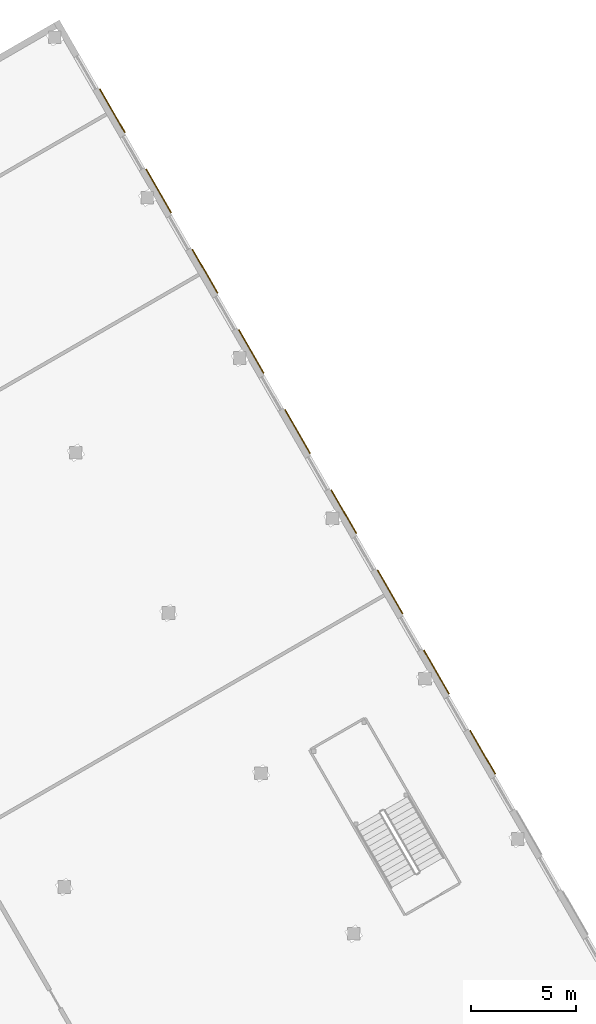
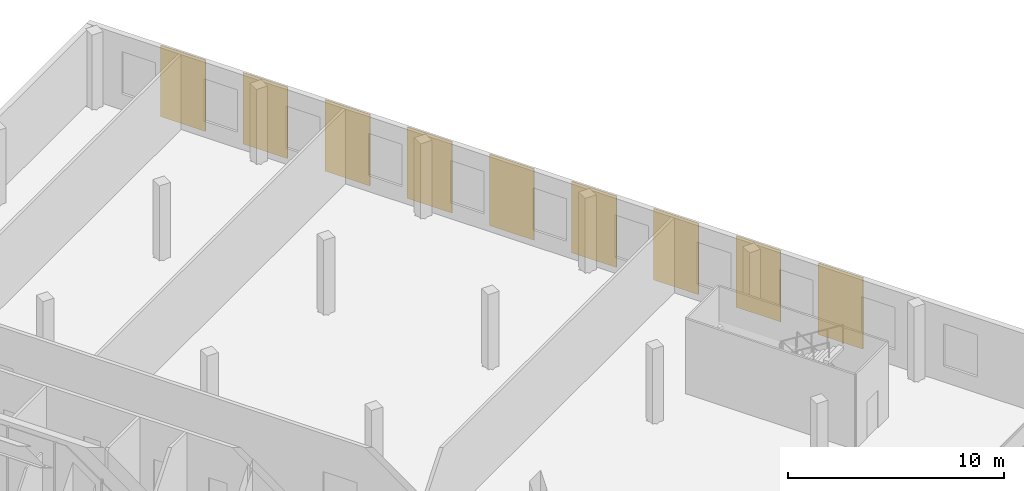
# One storey, part 28 of 29: 9 coverings.
"""IFC4 building model written with IfcOpenShell, lengths in metres."""

import ifcopenshell
import ifcopenshell.guid

model = None  # the IFC model being written
_history = None  # IfcOwnerHistory: only IFC2X3 demands one
_inside = {}  # id of a spatial element -> (the spatial element, [elements in it])
_under = {}  # id of a project, library or spatial element -> (it, [spatial elements below it])
_declared = {}  # id of a project -> (the project, [libraries it declares])
_typed = {}  # id of a type object -> (the type object, [elements of that type])
_made_of = {}  # id of a material, layer set ... -> (it, [elements and type objects made of it])


def new_model(schema):
    """Start an empty IFC model of exactly this schema.

    Asked for "IFC4X3", IfcOpenShell would pick the latest addendum, in which some entities
    have other attributes; the version numbers below select the first issue.
    IFC2X3 requires an IfcOwnerHistory on every rooted entity: one is made here for all.
    """
    global model, _history
    if schema == "IFC4X3":
        model = ifcopenshell.file(schema_version=(4, 3, 0, 0))
    else:
        model = ifcopenshell.file(schema=schema)
    _inside.clear()
    _under.clear()
    _declared.clear()
    _typed.clear()
    _made_of.clear()
    _history = None
    if model.schema == "IFC2X3":
        org = make("IfcOrganization", Name="unknown")
        user = make(
            "IfcPersonAndOrganization",
            ThePerson=make("IfcPerson", FamilyName="unknown"),
            TheOrganization=org,
        )
        app = make(
            "IfcApplication",
            ApplicationDeveloper=org,
            Version="unknown",
            ApplicationFullName="unknown",
            ApplicationIdentifier="unknown",
        )
        _history = make(
            "IfcOwnerHistory",
            OwningUser=user,
            OwningApplication=app,
            ChangeAction="ADDED",
            CreationDate=0,
        )
    return model


def make(cls, **values):
    """One entity of the class cls with the attributes given. An attribute that is None is left unset."""
    return model.create_entity(
        cls, **{name: value for name, value in values.items() if value is not None}
    )


def rooted(cls, **values):
    """An entity with a GlobalId (a new one), such as an element, a storey or a relation."""
    return make(cls, GlobalId=ifcopenshell.guid.new(), OwnerHistory=_history, **values)


def si_unit(unit_type, name, prefix=None):
    """IfcSIUnit, for example si_unit("LENGTHUNIT", "METRE", prefix="MILLI")."""
    return make("IfcSIUnit", UnitType=unit_type, Prefix=prefix, Name=name)


def assignment(units):
    """IfcUnitAssignment: the units of a project."""
    return None if units is None else make("IfcUnitAssignment", Units=units)


def point(xyz):
    """IfcCartesianPoint."""
    return None if xyz is None else make("IfcCartesianPoint", Coordinates=xyz)


def direction(xyz):
    """IfcDirection."""
    return None if xyz is None else make("IfcDirection", DirectionRatios=xyz)


def frame(location, z_axis=None, x_axis=None):
    """IfcAxis2Placement3D, a coordinate frame: its origin and axes. An axis left out is left unset."""
    return make(
        "IfcAxis2Placement3D",
        Location=point(location),
        Axis=direction(z_axis),
        RefDirection=direction(x_axis),
    )


def frame_2d(location, x_axis=None):
    """IfcAxis2Placement2D, a coordinate frame in the plane: its origin and x axis."""
    return make(
        "IfcAxis2Placement2D", Location=point(location), RefDirection=direction(x_axis)
    )


def origin():
    """The frame at (0, 0, 0) with its axes left unset."""
    return frame((0.0, 0.0, 0.0))


def origin_2d():
    """The frame at (0, 0) in the plane with its x axis left unset."""
    return frame_2d((0.0, 0.0))


def place(relative_to, where):
    """IfcLocalPlacement: puts the frame where relative to a parent placement (None: the world)."""
    return make(
        "IfcLocalPlacement", PlacementRelTo=relative_to, RelativePlacement=where
    )


def context(
    kind, dimensions, precision=None, world=None, true_north=None, identifier=None
):
    """IfcGeometricRepresentationContext, for example the 3D "Model" context."""
    return make(
        "IfcGeometricRepresentationContext",
        ContextIdentifier=identifier,
        ContextType=kind,
        CoordinateSpaceDimension=dimensions,
        Precision=precision,
        WorldCoordinateSystem=world,
        TrueNorth=true_north,
    )


def subcontext(parent, identifier, kind, view, scale=None):
    """IfcGeometricRepresentationSubContext, for example "Body" below "Model"."""
    return make(
        "IfcGeometricRepresentationSubContext",
        ContextIdentifier=identifier,
        ContextType=kind,
        ParentContext=parent,
        TargetScale=scale,
        TargetView=view,
    )


def project(units=None, contexts=None):
    """IfcProject with its units and contexts."""
    return rooted(
        "IfcProject",
        Name="project",
        RepresentationContexts=contexts,
        UnitsInContext=assignment(units),
    )


def spatial(cls, under=None, at=None, **own):
    """A site, building, storey or space (cls), placed at a placement, below another one or the project."""
    s = rooted(cls, ObjectPlacement=at, **own)
    if under is not None:
        _under.setdefault(under.id(), (under, []))[1].append(s)
    return s


def profile(cls, at=None, kind="AREA", **sizes):
    """A parametric profile (cls). Its sizes go by their IFC names, for example OverallWidth=200.0."""
    return make(cls, ProfileType=kind, Position=at, **sizes)


def rectangle(**sizes):
    """IfcRectangleProfileDef."""
    return profile("IfcRectangleProfileDef", **sizes)


def extrude(swept, where, along, depth):
    """IfcExtrudedAreaSolid: the profile swept, set in the frame where, extruded along a direction by depth."""
    return make(
        "IfcExtrudedAreaSolid",
        SweptArea=swept,
        Position=where,
        ExtrudedDirection=direction(along),
        Depth=depth,
    )


def shape(context_of_items, identifier, shape_type, items):
    """IfcShapeRepresentation: the items that make up one representation, for example the "Body"."""
    return make(
        "IfcShapeRepresentation",
        ContextOfItems=context_of_items,
        RepresentationIdentifier=identifier,
        RepresentationType=shape_type,
        Items=items,
    )


def material(Name=None, Category=None):
    """IfcMaterial."""
    return make("IfcMaterial", Name=Name, Category=Category)


def layer(
    of_material, thickness, ventilated=None, Name=None, Category=None, Priority=None
):
    """IfcMaterialLayer: one layer of a wall or slab, of a material (None: an air gap)."""
    return make(
        "IfcMaterialLayer",
        Material=of_material,
        LayerThickness=thickness,
        IsVentilated=ventilated,
        Name=Name,
        Category=Category,
        Priority=Priority,
    )


def layer_set(layers, Name=None):
    """IfcMaterialLayerSet."""
    return make("IfcMaterialLayerSet", MaterialLayers=layers, LayerSetName=Name)


def made_of(thing, what):
    """Note that an element or type object is made of a material, layer set ...; save() writes the relation."""
    if what is not None:
        _made_of.setdefault(what.id(), (what, []))[1].append(thing)
    return thing


def type_object(cls, material=None, **own):
    """A type object (cls), such as IfcWallType, which elements share."""
    return made_of(rooted(cls, **own), material)


def element(
    cls,
    number,
    at=None,
    inside=None,
    cuts=None,
    type_object=None,
    material=None,
    context=None,
    identifier="Body",
    shape_type=None,
    held_by="IfcProductDefinitionShape",
    body=None,
    shapes=None,
    **own,
):
    """One element of the class cls, such as IfcWall. Its Tag is "e" and its number.

    at: its placement. inside: the storey or other place that contains it. cuts: it is an
    opening in that element (IfcRelVoidsElement). A single representation is given by context,
    identifier, shape_type and body (its items); several are given by shapes. held_by: the class
    of the entity that holds the representations. save() writes the other relations.
    """
    e = rooted(cls, Tag="e%d" % number, ObjectPlacement=at, **own)
    if body is not None:
        shapes = [shape(context, identifier, shape_type, body)]
    if shapes is not None:
        e.Representation = make(held_by, Representations=shapes)
    if inside is not None:
        _inside.setdefault(inside.id(), (inside, []))[1].append(e)
    if cuts is not None:
        rooted(
            "IfcRelVoidsElement", RelatingBuildingElement=cuts, RelatedOpeningElement=e
        )
    if type_object is not None:
        _typed.setdefault(type_object.id(), (type_object, []))[1].append(e)
    return made_of(e, material)


def aggregate(whole, parts):
    """IfcRelAggregates: a whole, such as a stair, and the parts it consists of."""
    return rooted("IfcRelAggregates", RelatingObject=whole, RelatedObjects=parts)


def save(model, path):
    """Write the relations noted so far, then the file.

    IfcRelAggregates (storeys below a building ...), IfcRelContainedInSpatialStructure (elements
    in a storey), IfcRelDefinesByType, IfcRelAssociatesMaterial and IfcRelDeclares: one each for
    every whole, place, type object, material and project.
    """
    for whole, parts in _under.values():
        aggregate(whole, parts)
    for where, things in _inside.values():
        rooted(
            "IfcRelContainedInSpatialStructure",
            RelatedElements=things,
            RelatingStructure=where,
        )
    for kind, things in _typed.values():
        rooted("IfcRelDefinesByType", RelatedObjects=things, RelatingType=kind)
    for what, things in _made_of.values():
        rooted("IfcRelAssociatesMaterial", RelatedObjects=things, RelatingMaterial=what)
    for by, libraries in _declared.values():
        rooted("IfcRelDeclares", RelatingContext=by, RelatedDefinitions=libraries)
    model.write(path)


model = new_model("IFC4")

# Units and contexts
model_context = context("Model", 3, precision=1e-05, world=origin(), true_north=direction((0.0, 1.0)))
body_context = subcontext(model_context, "Body", "Model", "MODEL_VIEW")
ifc_project = project(units=[si_unit("LENGTHUNIT", "METRE"), si_unit("AREAUNIT", "SQUARE_METRE"), si_unit("VOLUMEUNIT", "CUBIC_METRE"), si_unit("PLANEANGLEUNIT", "RADIAN"), si_unit("MASSUNIT", "GRAM", prefix="KILO")], contexts=[model_context])

# Site, building, storey
site_placement = place(None, origin())
site = spatial("IfcSite", under=ifc_project, at=site_placement, CompositionType="ELEMENT")
building_placement = place(site_placement, origin())
building = spatial("IfcBuilding", under=site, at=building_placement, Name="Firuza Gate Tower and Library", CompositionType="ELEMENT")
storey_placement = place(building_placement, frame((0.0, 0.0, 8.0)))
storey = spatial("IfcBuildingStorey", under=building, at=storey_placement, Name="L01", CompositionType="ELEMENT", Elevation=8.0)

# Coverings
ifc_material_1 = material(Name="Turquoise glazed ceramic tile")
ifc_layer_1 = layer(ifc_material_1, 0.050048828125)
ifc_layer_set_1 = layer_set([ifc_layer_1], Name="LIB TILE CLADDING")
covering_type_1 = type_object("IfcCoveringType", Name="LIB TILE CLADDING", PredefinedType="CLADDING", material=ifc_layer_set_1)
for number, where, z_axis, x_axis, name in (
    (1, (126.035400390625, 89.223388671875, 0.10009765625), (0.0, 0.0, 1.0), (-0.5, 0.866025403784, 0.0), "L01 TILE panel 3"),
    (2, (121.635498046875, 96.84423828125, 0.10009765625), (0.0, 0.0, 1.0), (-0.5, 0.866025403784, 0.0), "L01 TILE panel 5"),
    (3, (117.2353515625, 104.46533203125, 0.10009765625), (0.0, 0.0, 1.0), (-0.5, 0.866025403784, 0.0), "L01 TILE panel 7"),
    (4, (112.83544921875, 112.086181640625, 0.10009765625), (0.0, 0.0, 1.0), (-0.5, 0.866025403784, 0.0), "L01 TILE panel 9"),
    (5, (108.435302734375, 119.70751953125, 0.10009765625), (0.0, 0.0, 1.0), (-0.5, 0.866025403784, 0.0), "L01 TILE panel 11"),
):
    element("IfcCovering", number, at=place(storey_placement, frame(where, z_axis=z_axis, x_axis=x_axis)), inside=storey, type_object=covering_type_1, Name=name, PredefinedType="CLADDING", context=body_context, shape_type="SweptSolid", body=[
        extrude(rectangle(XDim=2.39990234375, YDim=0.050048828125, at=origin_2d()), origin(), (0.0, 0.0, 1.0), 4.0400390625),
    ])
ifc_material_2 = material(Name="Cobalt glazed ceramic tile")
ifc_layer_2 = layer(ifc_material_2, 0.050048828125)
ifc_layer_set_2 = layer_set([ifc_layer_2], Name="LIB TILE CLADDING COBALT")
covering_type_2 = type_object("IfcCoveringType", Name="LIB TILE CLADDING COBALT", PredefinedType="CLADDING", material=ifc_layer_set_2)
for number, where, z_axis, x_axis, name in (
    (6, (123.83544921875, 93.03369140625, 0.10009765625), (0.0, 0.0, 1.0), (-0.5, 0.866025403784, 0.0), "L01 TILE panel 4"),
    (7, (119.435302734375, 100.65478515625, 0.10009765625), (0.0, 0.0, 1.0), (-0.5, 0.866025403784, 0.0), "L01 TILE panel 6"),
    (8, (115.035400390625, 108.27587890625, 0.10009765625), (0.0, 0.0, 1.0), (-0.5, 0.866025403784, 0.0), "L01 TILE panel 8"),
    (9, (110.635498046875, 115.89697265625, 0.10009765625), (0.0, 0.0, 1.0), (-0.5, 0.866025403784, 0.0), "L01 TILE panel 10"),
):
    element("IfcCovering", number, at=place(storey_placement, frame(where, z_axis=z_axis, x_axis=x_axis)), inside=storey, type_object=covering_type_2, Name=name, PredefinedType="CLADDING", context=body_context, shape_type="SweptSolid", body=[
        extrude(rectangle(XDim=2.39990234375, YDim=0.050048828125, at=origin_2d()), origin(), (0.0, 0.0, 1.0), 4.0400390625),
    ])

save(model, "model.ifc")
